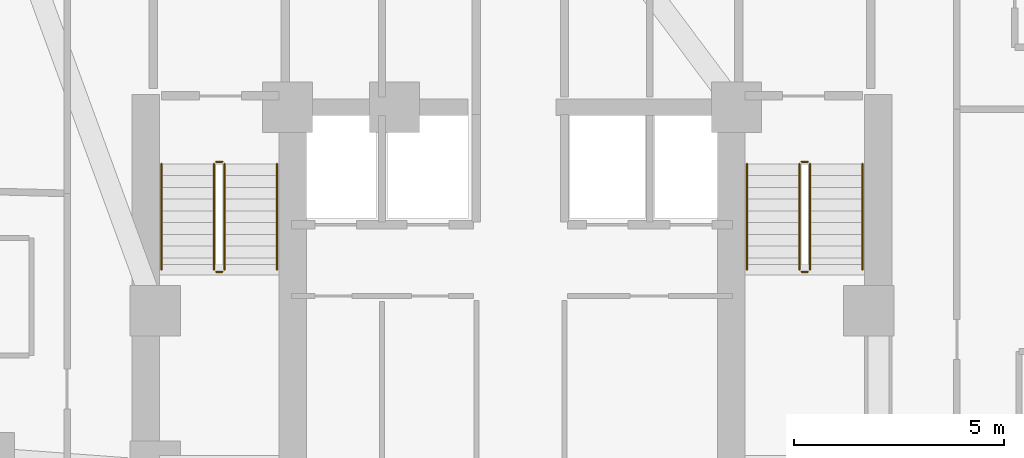
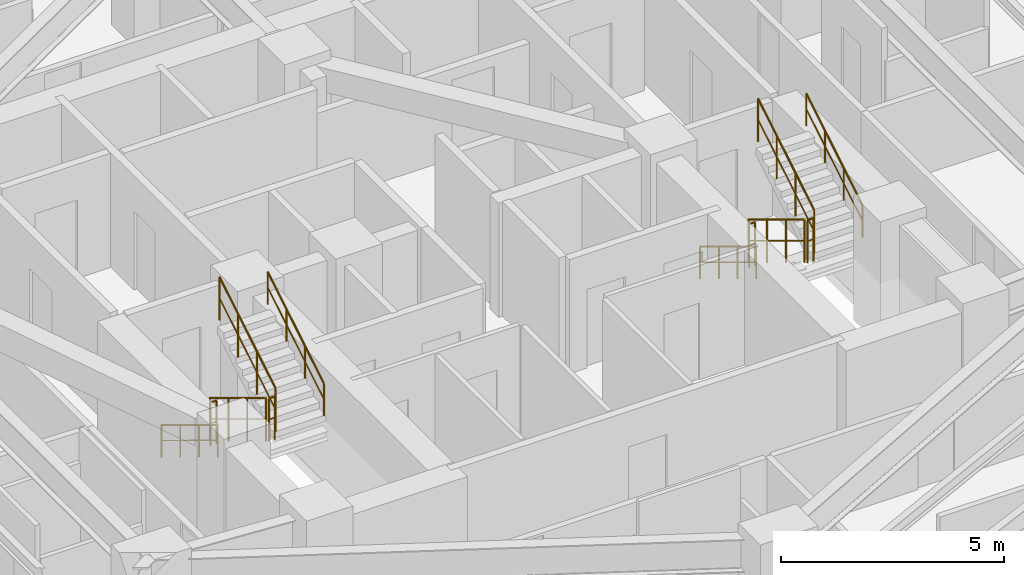
# One storey, part 15 of 15: 12 railings.
"""IFC4 building model written with IfcOpenShell, lengths in metres."""

import ifcopenshell
import ifcopenshell.guid

model = None  # the IFC model being written
_history = None  # IfcOwnerHistory: only IFC2X3 demands one
_inside = {}  # id of a spatial element -> (the spatial element, [elements in it])
_under = {}  # id of a project, library or spatial element -> (it, [spatial elements below it])
_declared = {}  # id of a project -> (the project, [libraries it declares])
_typed = {}  # id of a type object -> (the type object, [elements of that type])
_made_of = {}  # id of a material, layer set ... -> (it, [elements and type objects made of it])


def new_model(schema):
    """Start an empty IFC model of exactly this schema.

    Asked for "IFC4X3", IfcOpenShell would pick the latest addendum, in which some entities
    have other attributes; the version numbers below select the first issue.
    IFC2X3 requires an IfcOwnerHistory on every rooted entity: one is made here for all.
    """
    global model, _history
    if schema == "IFC4X3":
        model = ifcopenshell.file(schema_version=(4, 3, 0, 0))
    else:
        model = ifcopenshell.file(schema=schema)
    _inside.clear()
    _under.clear()
    _declared.clear()
    _typed.clear()
    _made_of.clear()
    _history = None
    if model.schema == "IFC2X3":
        org = make("IfcOrganization", Name="unknown")
        user = make(
            "IfcPersonAndOrganization",
            ThePerson=make("IfcPerson", FamilyName="unknown"),
            TheOrganization=org,
        )
        app = make(
            "IfcApplication",
            ApplicationDeveloper=org,
            Version="unknown",
            ApplicationFullName="unknown",
            ApplicationIdentifier="unknown",
        )
        _history = make(
            "IfcOwnerHistory",
            OwningUser=user,
            OwningApplication=app,
            ChangeAction="ADDED",
            CreationDate=0,
        )
    return model


def make(cls, **values):
    """One entity of the class cls with the attributes given. An attribute that is None is left unset."""
    return model.create_entity(
        cls, **{name: value for name, value in values.items() if value is not None}
    )


def rooted(cls, **values):
    """An entity with a GlobalId (a new one), such as an element, a storey or a relation."""
    return make(cls, GlobalId=ifcopenshell.guid.new(), OwnerHistory=_history, **values)


def si_unit(unit_type, name, prefix=None):
    """IfcSIUnit, for example si_unit("LENGTHUNIT", "METRE", prefix="MILLI")."""
    return make("IfcSIUnit", UnitType=unit_type, Prefix=prefix, Name=name)


def assignment(units):
    """IfcUnitAssignment: the units of a project."""
    return None if units is None else make("IfcUnitAssignment", Units=units)


def point(xyz):
    """IfcCartesianPoint."""
    return None if xyz is None else make("IfcCartesianPoint", Coordinates=xyz)


def direction(xyz):
    """IfcDirection."""
    return None if xyz is None else make("IfcDirection", DirectionRatios=xyz)


def frame(location, z_axis=None, x_axis=None):
    """IfcAxis2Placement3D, a coordinate frame: its origin and axes. An axis left out is left unset."""
    return make(
        "IfcAxis2Placement3D",
        Location=point(location),
        Axis=direction(z_axis),
        RefDirection=direction(x_axis),
    )


def frame_2d(location, x_axis=None):
    """IfcAxis2Placement2D, a coordinate frame in the plane: its origin and x axis."""
    return make(
        "IfcAxis2Placement2D", Location=point(location), RefDirection=direction(x_axis)
    )


def origin():
    """The frame at (0, 0, 0) with its axes left unset."""
    return frame((0.0, 0.0, 0.0))


def origin_2d():
    """The frame at (0, 0) in the plane with its x axis left unset."""
    return frame_2d((0.0, 0.0))


def place(relative_to, where):
    """IfcLocalPlacement: puts the frame where relative to a parent placement (None: the world)."""
    return make(
        "IfcLocalPlacement", PlacementRelTo=relative_to, RelativePlacement=where
    )


def context(
    kind, dimensions, precision=None, world=None, true_north=None, identifier=None
):
    """IfcGeometricRepresentationContext, for example the 3D "Model" context."""
    return make(
        "IfcGeometricRepresentationContext",
        ContextIdentifier=identifier,
        ContextType=kind,
        CoordinateSpaceDimension=dimensions,
        Precision=precision,
        WorldCoordinateSystem=world,
        TrueNorth=true_north,
    )


def subcontext(parent, identifier, kind, view, scale=None):
    """IfcGeometricRepresentationSubContext, for example "Body" below "Model"."""
    return make(
        "IfcGeometricRepresentationSubContext",
        ContextIdentifier=identifier,
        ContextType=kind,
        ParentContext=parent,
        TargetScale=scale,
        TargetView=view,
    )


def project(units=None, contexts=None):
    """IfcProject with its units and contexts."""
    return rooted(
        "IfcProject",
        Name="project",
        RepresentationContexts=contexts,
        UnitsInContext=assignment(units),
    )


def spatial(cls, under=None, at=None, **own):
    """A site, building, storey or space (cls), placed at a placement, below another one or the project."""
    s = rooted(cls, ObjectPlacement=at, **own)
    if under is not None:
        _under.setdefault(under.id(), (under, []))[1].append(s)
    return s


def profile(cls, at=None, kind="AREA", **sizes):
    """A parametric profile (cls). Its sizes go by their IFC names, for example OverallWidth=200.0."""
    return make(cls, ProfileType=kind, Position=at, **sizes)


def circle(**sizes):
    """IfcCircleProfileDef."""
    return profile("IfcCircleProfileDef", **sizes)


def extrude(swept, where, along, depth):
    """IfcExtrudedAreaSolid: the profile swept, set in the frame where, extruded along a direction by depth."""
    return make(
        "IfcExtrudedAreaSolid",
        SweptArea=swept,
        Position=where,
        ExtrudedDirection=direction(along),
        Depth=depth,
    )


def shape(context_of_items, identifier, shape_type, items):
    """IfcShapeRepresentation: the items that make up one representation, for example the "Body"."""
    return make(
        "IfcShapeRepresentation",
        ContextOfItems=context_of_items,
        RepresentationIdentifier=identifier,
        RepresentationType=shape_type,
        Items=items,
    )


def material(Name=None, Category=None):
    """IfcMaterial."""
    return make("IfcMaterial", Name=Name, Category=Category)


def made_of(thing, what):
    """Note that an element or type object is made of a material, layer set ...; save() writes the relation."""
    if what is not None:
        _made_of.setdefault(what.id(), (what, []))[1].append(thing)
    return thing


def type_object(cls, material=None, **own):
    """A type object (cls), such as IfcWallType, which elements share."""
    return made_of(rooted(cls, **own), material)


def element(
    cls,
    number,
    at=None,
    inside=None,
    cuts=None,
    type_object=None,
    material=None,
    context=None,
    identifier="Body",
    shape_type=None,
    held_by="IfcProductDefinitionShape",
    body=None,
    shapes=None,
    **own,
):
    """One element of the class cls, such as IfcWall. Its Tag is "e" and its number.

    at: its placement. inside: the storey or other place that contains it. cuts: it is an
    opening in that element (IfcRelVoidsElement). A single representation is given by context,
    identifier, shape_type and body (its items); several are given by shapes. held_by: the class
    of the entity that holds the representations. save() writes the other relations.
    """
    e = rooted(cls, Tag="e%d" % number, ObjectPlacement=at, **own)
    if body is not None:
        shapes = [shape(context, identifier, shape_type, body)]
    if shapes is not None:
        e.Representation = make(held_by, Representations=shapes)
    if inside is not None:
        _inside.setdefault(inside.id(), (inside, []))[1].append(e)
    if cuts is not None:
        rooted(
            "IfcRelVoidsElement", RelatingBuildingElement=cuts, RelatedOpeningElement=e
        )
    if type_object is not None:
        _typed.setdefault(type_object.id(), (type_object, []))[1].append(e)
    return made_of(e, material)


def aggregate(whole, parts):
    """IfcRelAggregates: a whole, such as a stair, and the parts it consists of."""
    return rooted("IfcRelAggregates", RelatingObject=whole, RelatedObjects=parts)


def save(model, path):
    """Write the relations noted so far, then the file.

    IfcRelAggregates (storeys below a building ...), IfcRelContainedInSpatialStructure (elements
    in a storey), IfcRelDefinesByType, IfcRelAssociatesMaterial and IfcRelDeclares: one each for
    every whole, place, type object, material and project.
    """
    for whole, parts in _under.values():
        aggregate(whole, parts)
    for where, things in _inside.values():
        rooted(
            "IfcRelContainedInSpatialStructure",
            RelatedElements=things,
            RelatingStructure=where,
        )
    for kind, things in _typed.values():
        rooted("IfcRelDefinesByType", RelatedObjects=things, RelatingType=kind)
    for what, things in _made_of.values():
        rooted("IfcRelAssociatesMaterial", RelatedObjects=things, RelatingMaterial=what)
    for by, libraries in _declared.values():
        rooted("IfcRelDeclares", RelatingContext=by, RelatedDefinitions=libraries)
    model.write(path)


model = new_model("IFC4")

# Units and contexts
model_context = context("Model", 3, precision=1e-05, world=origin(), true_north=direction((0.0, 1.0)))
body_context = subcontext(model_context, "Body", "Model", "MODEL_VIEW")
ifc_project = project(units=[si_unit("LENGTHUNIT", "METRE"), si_unit("AREAUNIT", "SQUARE_METRE"), si_unit("VOLUMEUNIT", "CUBIC_METRE"), si_unit("PLANEANGLEUNIT", "RADIAN"), si_unit("MASSUNIT", "GRAM", prefix="KILO")], contexts=[model_context])

# Site, building, storey
site_placement = place(None, origin())
site = spatial("IfcSite", under=ifc_project, at=site_placement, CompositionType="ELEMENT")
building_placement = place(site_placement, origin())
building = spatial("IfcBuilding", under=site, at=building_placement, Name="Miruveldt Soraemaru", CompositionType="ELEMENT")
storey_placement = place(building_placement, frame((0.0, 0.0, 36.0)))
storey = spatial("IfcBuildingStorey", under=building, at=storey_placement, Name="L09", CompositionType="ELEMENT", Elevation=36.0)

# Railings
ifc_material = material(Name="Steel S355 (355 MPa)", Category="steel")
railing_type_1 = type_object("IfcRailingType", Name="RAIL-HR-900", PredefinedType="HANDRAIL", material=ifc_material)
railing_1_placement = place(storey_placement, frame((35.64990234375, 42.699951171875, 0.169921875)))
element("IfcRailing", 1, at=railing_1_placement, inside=storey, type_object=railing_type_1, Name="L09 ST-1 stair handrail 1", PredefinedType="HANDRAIL", context=body_context, shape_type="SweptSolid", body=[
    extrude(circle(Radius=0.02392578125, at=origin_2d()), frame((0.0, 0.0, 0.8759765625), z_axis=(0.0, -0.85478489116, 0.518982456201), x_axis=(1.0, 0.0, 0.0)), (0.0, 0.0, 1.0), 2.9482421875),
    extrude(circle(Radius=0.01611328125, at=origin_2d()), frame((0.0, 0.0, 0.449951171875), z_axis=(0.0, -0.85478489116, 0.518982456201), x_axis=(1.0, 0.0, 0.0)), (0.0, 0.0, 1.0), 2.9482421875),
    extrude(circle(Radius=0.02099609375, at=origin_2d()), origin(), (0.0, 0.0, 1.0), 0.851806640625),
    extrude(circle(Radius=0.02099609375, at=origin_2d()), frame((0.0, -0.840087890625, 0.510009765625)), (0.0, 0.0, 1.0), 0.851806640625),
    extrude(circle(Radius=0.02099609375, at=origin_2d()), frame((0.0, -1.679931640625, 1.02001953125)), (0.0, 0.0, 1.0), 0.851806640625),
    extrude(circle(Radius=0.02099609375, at=origin_2d()), frame((0.0, -2.52001953125, 1.530029296875)), (0.0, 0.0, 1.0), 0.851806640625),
])
railing_2_placement = place(storey_placement, frame((38.39990234375, 40.179931640625, 1.8701171875)))
element("IfcRailing", 2, at=railing_2_placement, inside=storey, type_object=railing_type_1, Name="L09 ST-1 stair handrail 2", PredefinedType="HANDRAIL", context=body_context, shape_type="SweptSolid", body=[
    extrude(circle(Radius=0.02392578125, at=origin_2d()), frame((0.0, 0.0, 0.8759765625), z_axis=(0.0, 0.854821627497, 0.518921945155), x_axis=(-1.0, 0.0, 0.0)), (0.0, 0.0, 1.0), 2.947998046875),
    extrude(circle(Radius=0.01611328125, at=origin_2d()), frame((0.0, 0.0, 0.449951171875), z_axis=(0.0, 0.854821627497, 0.518921945155), x_axis=(-1.0, 0.0, 0.0)), (0.0, 0.0, 1.0), 2.947998046875),
    extrude(circle(Radius=0.02099609375, at=origin_2d()), origin(), (0.0, 0.0, 1.0), 0.851806640625),
    extrude(circle(Radius=0.02099609375, at=origin_2d()), frame((0.0, 0.840087890625, 0.510009765625)), (0.0, 0.0, 1.0), 0.851806640625),
    extrude(circle(Radius=0.02099609375, at=origin_2d()), frame((0.0, 1.679931640625, 1.019775390625)), (0.0, 0.0, 1.0), 0.851806640625),
    extrude(circle(Radius=0.02099609375, at=origin_2d()), frame((0.0, 2.52001953125, 1.52978515625)), (0.0, 0.0, 1.0), 0.851806640625),
])
railing_3_placement = place(storey_placement, frame((49.60009765625, 42.699951171875, 0.169921875)))
element("IfcRailing", 3, at=railing_3_placement, inside=storey, type_object=railing_type_1, Name="L09 ST-2 stair handrail 1", PredefinedType="HANDRAIL", context=body_context, shape_type="SweptSolid", body=[
    extrude(circle(Radius=0.02392578125, at=origin_2d()), frame((0.0, 0.0, 0.8759765625), z_axis=(0.0, -0.85478489116, 0.518982456201), x_axis=(1.0, 0.0, 0.0)), (0.0, 0.0, 1.0), 2.9482421875),
    extrude(circle(Radius=0.01611328125, at=origin_2d()), frame((0.0, 0.0, 0.449951171875), z_axis=(0.0, -0.85478489116, 0.518982456201), x_axis=(1.0, 0.0, 0.0)), (0.0, 0.0, 1.0), 2.9482421875),
    extrude(circle(Radius=0.02099609375, at=origin_2d()), origin(), (0.0, 0.0, 1.0), 0.851806640625),
    extrude(circle(Radius=0.02099609375, at=origin_2d()), frame((0.0, -0.840087890625, 0.510009765625)), (0.0, 0.0, 1.0), 0.851806640625),
    extrude(circle(Radius=0.02099609375, at=origin_2d()), frame((0.0, -1.679931640625, 1.02001953125)), (0.0, 0.0, 1.0), 0.851806640625),
    extrude(circle(Radius=0.02099609375, at=origin_2d()), frame((0.0, -2.52001953125, 1.530029296875)), (0.0, 0.0, 1.0), 0.851806640625),
])
railing_4_placement = place(storey_placement, frame((52.35009765625, 40.179931640625, 1.8701171875)))
element("IfcRailing", 4, at=railing_4_placement, inside=storey, type_object=railing_type_1, Name="L09 ST-2 stair handrail 2", PredefinedType="HANDRAIL", context=body_context, shape_type="SweptSolid", body=[
    extrude(circle(Radius=0.02392578125, at=origin_2d()), frame((0.0, 0.0, 0.8759765625), z_axis=(0.0, 0.854821627497, 0.518921945155), x_axis=(-1.0, 0.0, 0.0)), (0.0, 0.0, 1.0), 2.947998046875),
    extrude(circle(Radius=0.01611328125, at=origin_2d()), frame((0.0, 0.0, 0.449951171875), z_axis=(0.0, 0.854821627497, 0.518921945155), x_axis=(-1.0, 0.0, 0.0)), (0.0, 0.0, 1.0), 2.947998046875),
    extrude(circle(Radius=0.02099609375, at=origin_2d()), origin(), (0.0, 0.0, 1.0), 0.851806640625),
    extrude(circle(Radius=0.02099609375, at=origin_2d()), frame((0.0, 0.840087890625, 0.510009765625)), (0.0, 0.0, 1.0), 0.851806640625),
    extrude(circle(Radius=0.02099609375, at=origin_2d()), frame((0.0, 1.679931640625, 1.019775390625)), (0.0, 0.0, 1.0), 0.851806640625),
    extrude(circle(Radius=0.02099609375, at=origin_2d()), frame((0.0, 2.52001953125, 1.52978515625)), (0.0, 0.0, 1.0), 0.851806640625),
])
railing_type_2 = type_object("IfcRailingType", Name="RAIL-STGUARD-1200", PredefinedType="GUARDRAIL", material=ifc_material)
railing_5_placement = place(storey_placement, frame((36.89990234375, 42.699951171875, 0.169921875)))
element("IfcRailing", 5, at=railing_5_placement, inside=storey, type_object=railing_type_2, Name="L09 ST-1 stair guard 1", PredefinedType="GUARDRAIL", context=body_context, shape_type="SweptSolid", body=[
    extrude(circle(Radius=0.02392578125, at=origin_2d()), frame((0.0, 0.0, 1.17578125), z_axis=(0.0, -0.85478489116, 0.518982456201), x_axis=(1.0, 0.0, 0.0)), (0.0, 0.0, 1.0), 2.9482421875),
    extrude(circle(Radius=0.01611328125, at=origin_2d()), frame((0.0, 0.0, 0.60009765625), z_axis=(0.0, -0.85478489116, 0.518982456201), x_axis=(1.0, 0.0, 0.0)), (0.0, 0.0, 1.0), 2.9482421875),
    extrude(circle(Radius=0.02099609375, at=origin_2d()), origin(), (0.0, 0.0, 1.0), 1.15185546875),
    extrude(circle(Radius=0.02099609375, at=origin_2d()), frame((0.0, -0.840087890625, 0.510009765625)), (0.0, 0.0, 1.0), 1.15185546875),
    extrude(circle(Radius=0.02099609375, at=origin_2d()), frame((0.0, -1.679931640625, 1.02001953125)), (0.0, 0.0, 1.0), 1.15185546875),
    extrude(circle(Radius=0.02099609375, at=origin_2d()), frame((0.0, -2.52001953125, 1.530029296875)), (0.0, 0.0, 1.0), 1.15185546875),
])
railing_6_placement = place(storey_placement, frame((36.949951171875, 40.1298828125, 1.699951171875)))
element("IfcRailing", 6, at=railing_6_placement, inside=storey, type_object=railing_type_2, Name="L09 ST-1 stair guard 2", PredefinedType="GUARDRAIL", context=body_context, shape_type="SweptSolid", body=[
    extrude(circle(Radius=0.02392578125, at=origin_2d()), frame((0.0, 0.0, 1.17578125), z_axis=(1.0, 0.0, 0.0), x_axis=(0.0, 1.0, 0.0)), (0.0, 0.0, 1.0), 0.150146484375),
    extrude(circle(Radius=0.01611328125, at=origin_2d()), frame((0.0, 0.0, 0.60009765625), z_axis=(1.0, 0.0, 0.0), x_axis=(0.0, 1.0, 0.0)), (0.0, 0.0, 1.0), 0.150146484375),
    extrude(circle(Radius=0.02099609375, at=origin_2d()), origin(), (0.0, 0.0, 1.0), 1.15185546875),
    extrude(circle(Radius=0.02099609375, at=origin_2d()), frame((0.150146484375, 0.0, 0.0)), (0.0, 0.0, 1.0), 1.15185546875),
])
railing_7_placement = place(storey_placement, frame((37.14990234375, 40.179931640625, 1.8701171875)))
element("IfcRailing", 7, at=railing_7_placement, inside=storey, type_object=railing_type_2, Name="L09 ST-1 stair guard 3", PredefinedType="GUARDRAIL", context=body_context, shape_type="SweptSolid", body=[
    extrude(circle(Radius=0.02392578125, at=origin_2d()), frame((0.0, 0.0, 1.17578125), z_axis=(0.0, 0.854821627497, 0.518921945155), x_axis=(-1.0, 0.0, 0.0)), (0.0, 0.0, 1.0), 2.947998046875),
    extrude(circle(Radius=0.01611328125, at=origin_2d()), frame((0.0, 0.0, 0.60009765625), z_axis=(0.0, 0.854821627497, 0.518921945155), x_axis=(-1.0, 0.0, 0.0)), (0.0, 0.0, 1.0), 2.947998046875),
    extrude(circle(Radius=0.02099609375, at=origin_2d()), origin(), (0.0, 0.0, 1.0), 1.15185546875),
    extrude(circle(Radius=0.02099609375, at=origin_2d()), frame((0.0, 0.840087890625, 0.510009765625)), (0.0, 0.0, 1.0), 1.15185546875),
    extrude(circle(Radius=0.02099609375, at=origin_2d()), frame((0.0, 1.679931640625, 1.019775390625)), (0.0, 0.0, 1.0), 1.15185546875),
    extrude(circle(Radius=0.02099609375, at=origin_2d()), frame((0.0, 2.52001953125, 1.52978515625)), (0.0, 0.0, 1.0), 1.15185546875),
])
railing_8_placement = place(storey_placement, frame((36.949951171875, 42.75, 0.0)))
element("IfcRailing", 8, at=railing_8_placement, inside=storey, type_object=railing_type_2, Name="L09 ST-1 stair guard 4", PredefinedType="GUARDRAIL", context=body_context, shape_type="SweptSolid", body=[
    extrude(circle(Radius=0.02392578125, at=origin_2d()), frame((0.0, 0.0, 1.17578125), z_axis=(1.0, 0.0, 0.0), x_axis=(0.0, 1.0, 0.0)), (0.0, 0.0, 1.0), 0.150146484375),
    extrude(circle(Radius=0.01611328125, at=origin_2d()), frame((0.0, 0.0, 0.60009765625), z_axis=(1.0, 0.0, 0.0), x_axis=(0.0, 1.0, 0.0)), (0.0, 0.0, 1.0), 0.150146484375),
    extrude(circle(Radius=0.02099609375, at=origin_2d()), origin(), (0.0, 0.0, 1.0), 1.15185546875),
    extrude(circle(Radius=0.02099609375, at=origin_2d()), frame((0.150146484375, 0.0, 0.0)), (0.0, 0.0, 1.0), 1.15185546875),
])
railing_9_placement = place(storey_placement, frame((50.85009765625, 42.699951171875, 0.169921875)))
element("IfcRailing", 9, at=railing_9_placement, inside=storey, type_object=railing_type_2, Name="L09 ST-2 stair guard 1", PredefinedType="GUARDRAIL", context=body_context, shape_type="SweptSolid", body=[
    extrude(circle(Radius=0.02392578125, at=origin_2d()), frame((0.0, 0.0, 1.17578125), z_axis=(0.0, -0.85478489116, 0.518982456201), x_axis=(1.0, 0.0, 0.0)), (0.0, 0.0, 1.0), 2.9482421875),
    extrude(circle(Radius=0.01611328125, at=origin_2d()), frame((0.0, 0.0, 0.60009765625), z_axis=(0.0, -0.85478489116, 0.518982456201), x_axis=(1.0, 0.0, 0.0)), (0.0, 0.0, 1.0), 2.9482421875),
    extrude(circle(Radius=0.02099609375, at=origin_2d()), origin(), (0.0, 0.0, 1.0), 1.15185546875),
    extrude(circle(Radius=0.02099609375, at=origin_2d()), frame((0.0, -0.840087890625, 0.510009765625)), (0.0, 0.0, 1.0), 1.15185546875),
    extrude(circle(Radius=0.02099609375, at=origin_2d()), frame((0.0, -1.679931640625, 1.02001953125)), (0.0, 0.0, 1.0), 1.15185546875),
    extrude(circle(Radius=0.02099609375, at=origin_2d()), frame((0.0, -2.52001953125, 1.530029296875)), (0.0, 0.0, 1.0), 1.15185546875),
])
railing_10_placement = place(storey_placement, frame((50.89990234375, 40.1298828125, 1.699951171875)))
element("IfcRailing", 10, at=railing_10_placement, inside=storey, type_object=railing_type_2, Name="L09 ST-2 stair guard 2", PredefinedType="GUARDRAIL", context=body_context, shape_type="SweptSolid", body=[
    extrude(circle(Radius=0.02392578125, at=origin_2d()), frame((0.0, 0.0, 1.17578125), z_axis=(1.0, 0.0, 0.0), x_axis=(0.0, 1.0, 0.0)), (0.0, 0.0, 1.0), 0.150146484375),
    extrude(circle(Radius=0.01611328125, at=origin_2d()), frame((0.0, 0.0, 0.60009765625), z_axis=(1.0, 0.0, 0.0), x_axis=(0.0, 1.0, 0.0)), (0.0, 0.0, 1.0), 0.150146484375),
    extrude(circle(Radius=0.02099609375, at=origin_2d()), origin(), (0.0, 0.0, 1.0), 1.15185546875),
    extrude(circle(Radius=0.02099609375, at=origin_2d()), frame((0.150146484375, 0.0, 0.0)), (0.0, 0.0, 1.0), 1.15185546875),
])
railing_11_placement = place(storey_placement, frame((51.10009765625, 40.179931640625, 1.8701171875)))
element("IfcRailing", 11, at=railing_11_placement, inside=storey, type_object=railing_type_2, Name="L09 ST-2 stair guard 3", PredefinedType="GUARDRAIL", context=body_context, shape_type="SweptSolid", body=[
    extrude(circle(Radius=0.02392578125, at=origin_2d()), frame((0.0, 0.0, 1.17578125), z_axis=(0.0, 0.854821627497, 0.518921945155), x_axis=(-1.0, 0.0, 0.0)), (0.0, 0.0, 1.0), 2.947998046875),
    extrude(circle(Radius=0.01611328125, at=origin_2d()), frame((0.0, 0.0, 0.60009765625), z_axis=(0.0, 0.854821627497, 0.518921945155), x_axis=(-1.0, 0.0, 0.0)), (0.0, 0.0, 1.0), 2.947998046875),
    extrude(circle(Radius=0.02099609375, at=origin_2d()), origin(), (0.0, 0.0, 1.0), 1.15185546875),
    extrude(circle(Radius=0.02099609375, at=origin_2d()), frame((0.0, 0.840087890625, 0.510009765625)), (0.0, 0.0, 1.0), 1.15185546875),
    extrude(circle(Radius=0.02099609375, at=origin_2d()), frame((0.0, 1.679931640625, 1.019775390625)), (0.0, 0.0, 1.0), 1.15185546875),
    extrude(circle(Radius=0.02099609375, at=origin_2d()), frame((0.0, 2.52001953125, 1.52978515625)), (0.0, 0.0, 1.0), 1.15185546875),
])
railing_12_placement = place(storey_placement, frame((50.89990234375, 42.75, 0.0)))
element("IfcRailing", 12, at=railing_12_placement, inside=storey, type_object=railing_type_2, Name="L09 ST-2 stair guard 4", PredefinedType="GUARDRAIL", context=body_context, shape_type="SweptSolid", body=[
    extrude(circle(Radius=0.02392578125, at=origin_2d()), frame((0.0, 0.0, 1.17578125), z_axis=(1.0, 0.0, 0.0), x_axis=(0.0, 1.0, 0.0)), (0.0, 0.0, 1.0), 0.150146484375),
    extrude(circle(Radius=0.01611328125, at=origin_2d()), frame((0.0, 0.0, 0.60009765625), z_axis=(1.0, 0.0, 0.0), x_axis=(0.0, 1.0, 0.0)), (0.0, 0.0, 1.0), 0.150146484375),
    extrude(circle(Radius=0.02099609375, at=origin_2d()), origin(), (0.0, 0.0, 1.0), 1.15185546875),
    extrude(circle(Radius=0.02099609375, at=origin_2d()), frame((0.150146484375, 0.0, 0.0)), (0.0, 0.0, 1.0), 1.15185546875),
])

save(model, "model.ifc")
